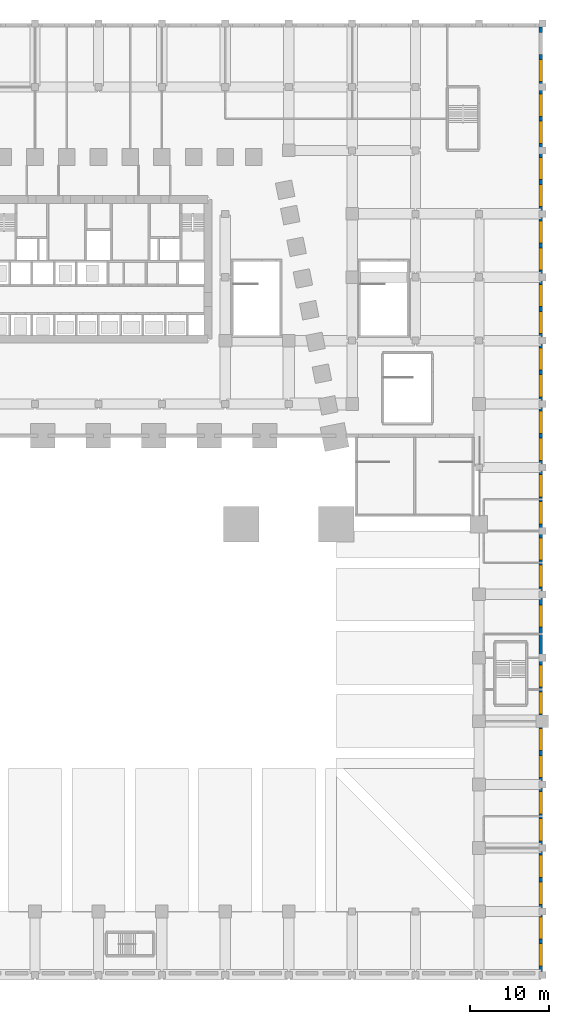
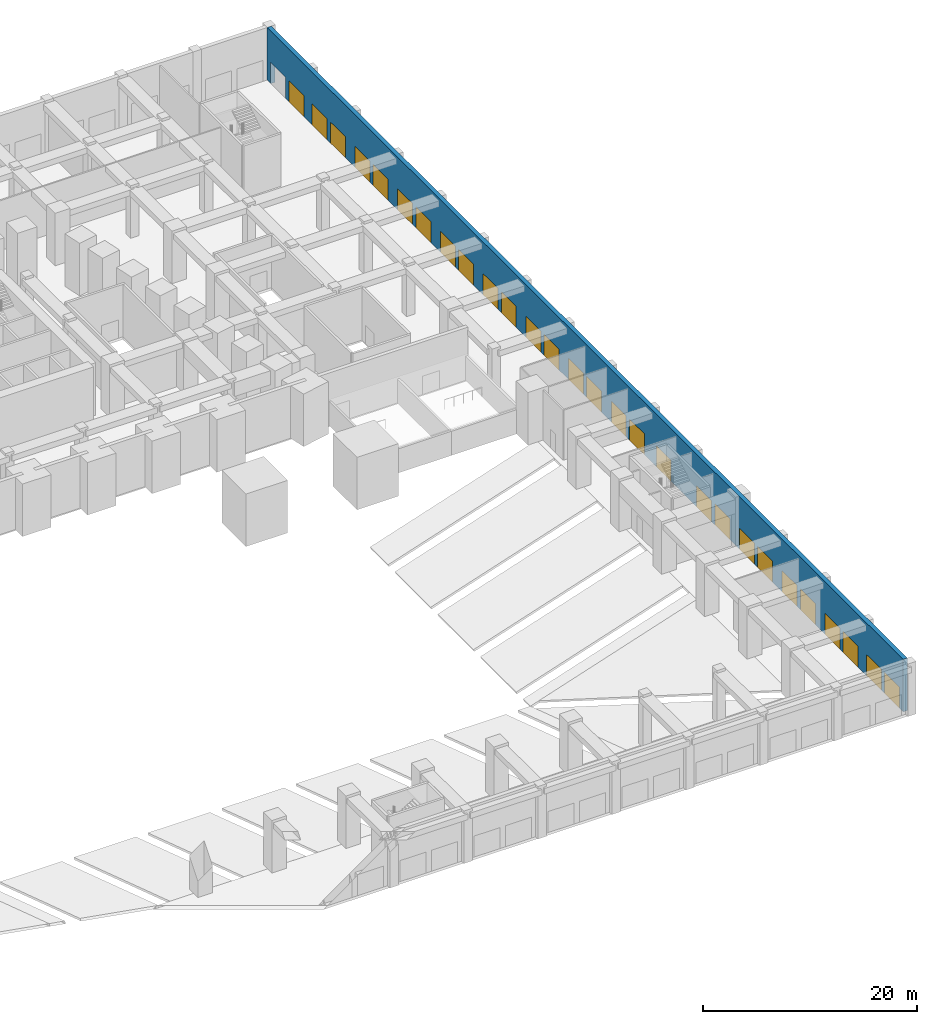
# One storey, part 10 of 28: 28 doors, 1 wall, 29 openings.
"""IFC4 building model written with IfcOpenShell, lengths in metres."""

from ifc_helpers import new_model, si_unit, direction, frame, frame_2d, origin, place, context, subcontext, project, spatial, rectangle, extrude, material, layer, layer_set, type_object, element, fill, save


model = new_model("IFC4")

# Units and contexts
model_context = context("Model", 3, precision=1e-05, world=origin(), true_north=direction((0.0, 1.0)))
body_context = subcontext(model_context, "Body", "Model", "MODEL_VIEW")
ifc_project = project(units=[si_unit("LENGTHUNIT", "METRE"), si_unit("AREAUNIT", "SQUARE_METRE"), si_unit("VOLUMEUNIT", "CUBIC_METRE"), si_unit("PLANEANGLEUNIT", "RADIAN"), si_unit("MASSUNIT", "GRAM", prefix="KILO")], contexts=[model_context])

# Site, building, storey
site_placement = place(None, origin())
site = spatial("IfcSite", under=ifc_project, at=site_placement, CompositionType="ELEMENT")
building_placement = place(site_placement, origin())
building = spatial("IfcBuilding", under=site, at=building_placement, Name="Isbrekke Arena Tower", CompositionType="ELEMENT")
storey_placement = place(building_placement, origin())
storey = spatial("IfcBuildingStorey", under=building, at=storey_placement, Name="L00", CompositionType="ELEMENT", Elevation=0.0)

# Wall, openings, doors
ifc_material_1 = material(Name="Pale brick facing on concrete backing wall", Category="masonry")
ifc_layer = layer(ifc_material_1, 0.449951171875)
ifc_layer_set = layer_set([ifc_layer], Name="EW1 PODIUM BRICK WALL 450")
wall_type = type_object("IfcWallType", Name="EW1 PODIUM BRICK WALL 450", PredefinedType="SOLIDWALL", material=ifc_layer_set)
wall_placement = place(storey_placement, frame((55.77490234375, -73.550048828125, 0.0), z_axis=(0.0, 0.0, 1.0), x_axis=(0.0, 1.0, 0.0)))
wall = element("IfcWall", 1, at=wall_placement, inside=storey, type_object=wall_type, Name="EW1 podium wall E L00", PredefinedType="SOLIDWALL", context=body_context, shape_type="SweptSolid", body=[
    extrude(rectangle(XDim=119.10009765625, YDim=0.449951171875, at=frame_2d((59.550048828125, 0.0))), origin(), (0.0, 0.0, 1.0), 6.0),
])
opening_1_placement = place(wall_placement, frame((0.675048828125, 0.0, 0.0)))
opening_1 = element("IfcOpeningElement", 2, at=opening_1_placement, cuts=wall, Name="Opening DE1", PredefinedType="OPENING", context=body_context, shape_type="SweptSolid", body=[
    extrude(rectangle(XDim=2.800048828125, YDim=2.39990234375, at=frame_2d((1.39990234375, 1.199951171875))), frame((0.0, 0.23974609375, 0.0), z_axis=(0.0, -1.0, 0.0), x_axis=(1.0, 0.0, 0.0)), (0.0, 0.0, 1.0), 0.479736328125),
])
opening_2_placement = place(wall_placement, frame((4.074951171875, 0.0, 0.0)))
opening_2 = element("IfcOpeningElement", 3, at=opening_2_placement, cuts=wall, Name="Opening DE1", PredefinedType="OPENING", context=body_context, shape_type="SweptSolid", body=[
    extrude(rectangle(XDim=2.800048828125, YDim=2.39990234375, at=frame_2d((1.39990234375, 1.199951171875))), frame((0.0, 0.23974609375, 0.0), z_axis=(0.0, -1.0, 0.0), x_axis=(1.0, 0.0, 0.0)), (0.0, 0.0, 1.0), 0.479736328125),
])
opening_3_placement = place(wall_placement, frame((8.449951171875, 0.0, 0.0)))
opening_3 = element("IfcOpeningElement", 4, at=opening_3_placement, cuts=wall, Name="Opening DE1", PredefinedType="OPENING", context=body_context, shape_type="SweptSolid", body=[
    extrude(rectangle(XDim=2.800048828125, YDim=2.39990234375, at=frame_2d((1.39990234375, 1.199951171875))), frame((0.0, 0.23974609375, 0.0), z_axis=(0.0, -1.0, 0.0), x_axis=(1.0, 0.0, 0.0)), (0.0, 0.0, 1.0), 0.479736328125),
])
opening_4_placement = place(wall_placement, frame((11.85009765625, 0.0, 0.0)))
opening_4 = element("IfcOpeningElement", 5, at=opening_4_placement, cuts=wall, Name="Opening DE1", PredefinedType="OPENING", context=body_context, shape_type="SweptSolid", body=[
    extrude(rectangle(XDim=2.800048828125, YDim=2.39990234375, at=frame_2d((1.39990234375, 1.199951171875))), frame((0.0, 0.23974609375, 0.0), z_axis=(0.0, -1.0, 0.0), x_axis=(1.0, 0.0, 0.0)), (0.0, 0.0, 1.0), 0.479736328125),
])
opening_5_placement = place(wall_placement, frame((16.449951171875, 0.0, 0.0)))
opening_5 = element("IfcOpeningElement", 6, at=opening_5_placement, cuts=wall, Name="Opening DE1", PredefinedType="OPENING", context=body_context, shape_type="SweptSolid", body=[
    extrude(rectangle(XDim=2.800048828125, YDim=2.39990234375, at=frame_2d((1.39990234375, 1.199951171875))), frame((0.0, 0.23974609375, 0.0), z_axis=(0.0, -1.0, 0.0), x_axis=(1.0, 0.0, 0.0)), (0.0, 0.0, 1.0), 0.479736328125),
])
opening_6_placement = place(wall_placement, frame((19.85009765625, 0.0, 0.0)))
opening_6 = element("IfcOpeningElement", 7, at=opening_6_placement, cuts=wall, Name="Opening DE1", PredefinedType="OPENING", context=body_context, shape_type="SweptSolid", body=[
    extrude(rectangle(XDim=2.800048828125, YDim=2.39990234375, at=frame_2d((1.39990234375, 1.199951171875))), frame((0.0, 0.23974609375, 0.0), z_axis=(0.0, -1.0, 0.0), x_axis=(1.0, 0.0, 0.0)), (0.0, 0.0, 1.0), 0.479736328125),
])
opening_7_placement = place(wall_placement, frame((24.449951171875, 0.0, 0.0)))
opening_7 = element("IfcOpeningElement", 8, at=opening_7_placement, cuts=wall, Name="Opening DE1", PredefinedType="OPENING", context=body_context, shape_type="SweptSolid", body=[
    extrude(rectangle(XDim=2.800048828125, YDim=2.39990234375, at=frame_2d((1.39990234375, 1.199951171875))), frame((0.0, 0.23974609375, 0.0), z_axis=(0.0, -1.0, 0.0), x_axis=(1.0, 0.0, 0.0)), (0.0, 0.0, 1.0), 0.479736328125),
])
opening_8_placement = place(wall_placement, frame((27.85009765625, 0.0, 0.0)))
opening_8 = element("IfcOpeningElement", 9, at=opening_8_placement, cuts=wall, Name="Opening DE1", PredefinedType="OPENING", context=body_context, shape_type="SweptSolid", body=[
    extrude(rectangle(XDim=2.800048828125, YDim=2.39990234375, at=frame_2d((1.39990234375, 1.199951171875))), frame((0.0, 0.23974609375, 0.0), z_axis=(0.0, -1.0, 0.0), x_axis=(1.0, 0.0, 0.0)), (0.0, 0.0, 1.0), 0.479736328125),
])
opening_9_placement = place(wall_placement, frame((32.449951171875, 0.0, 0.0)))
opening_9 = element("IfcOpeningElement", 10, at=opening_9_placement, cuts=wall, Name="Opening DE1", PredefinedType="OPENING", context=body_context, shape_type="SweptSolid", body=[
    extrude(rectangle(XDim=2.800048828125, YDim=2.39990234375, at=frame_2d((1.39990234375, 1.199951171875))), frame((0.0, 0.23974609375, 0.0), z_axis=(0.0, -1.0, 0.0), x_axis=(1.0, 0.0, 0.0)), (0.0, 0.0, 1.0), 0.479736328125),
])
opening_10_placement = place(wall_placement, frame((35.85009765625, 0.0, 0.0)))
opening_10 = element("IfcOpeningElement", 11, at=opening_10_placement, cuts=wall, Name="Opening DE1", PredefinedType="OPENING", context=body_context, shape_type="SweptSolid", body=[
    extrude(rectangle(XDim=2.800048828125, YDim=2.39990234375, at=frame_2d((1.39990234375, 1.199951171875))), frame((0.0, 0.23974609375, 0.0), z_axis=(0.0, -1.0, 0.0), x_axis=(1.0, 0.0, 0.0)), (0.0, 0.0, 1.0), 0.479736328125),
])
opening_11_placement = place(wall_placement, frame((43.425048828125, 0.0, 0.0)))
opening_11 = element("IfcOpeningElement", 12, at=opening_11_placement, cuts=wall, Name="Opening DE1", PredefinedType="OPENING", context=body_context, shape_type="SweptSolid", body=[
    extrude(rectangle(XDim=2.800048828125, YDim=2.39990234375, at=frame_2d((1.39990234375, 1.199951171875))), frame((0.0, 0.23974609375, 0.0), z_axis=(0.0, -1.0, 0.0), x_axis=(1.0, 0.0, 0.0)), (0.0, 0.0, 1.0), 0.479736328125),
])
opening_12_placement = place(wall_placement, frame((48.449951171875, 0.0, 0.0)))
opening_12 = element("IfcOpeningElement", 13, at=opening_12_placement, cuts=wall, Name="Opening DE1", PredefinedType="OPENING", context=body_context, shape_type="SweptSolid", body=[
    extrude(rectangle(XDim=2.800048828125, YDim=2.39990234375, at=frame_2d((1.39990234375, 1.199951171875))), frame((0.0, 0.23974609375, 0.0), z_axis=(0.0, -1.0, 0.0), x_axis=(1.0, 0.0, 0.0)), (0.0, 0.0, 1.0), 0.479736328125),
])
opening_13_placement = place(wall_placement, frame((51.85009765625, 0.0, 0.0)))
opening_13 = element("IfcOpeningElement", 14, at=opening_13_placement, cuts=wall, Name="Opening DE1", PredefinedType="OPENING", context=body_context, shape_type="SweptSolid", body=[
    extrude(rectangle(XDim=2.800048828125, YDim=2.39990234375, at=frame_2d((1.39990234375, 1.199951171875))), frame((0.0, 0.23974609375, 0.0), z_axis=(0.0, -1.0, 0.0), x_axis=(1.0, 0.0, 0.0)), (0.0, 0.0, 1.0), 0.479736328125),
])
opening_14_placement = place(wall_placement, frame((56.449951171875, 0.0, 0.0)))
opening_14 = element("IfcOpeningElement", 15, at=opening_14_placement, cuts=wall, Name="Opening DE1", PredefinedType="OPENING", context=body_context, shape_type="SweptSolid", body=[
    extrude(rectangle(XDim=2.800048828125, YDim=2.39990234375, at=frame_2d((1.39990234375, 1.199951171875))), frame((0.0, 0.23974609375, 0.0), z_axis=(0.0, -1.0, 0.0), x_axis=(1.0, 0.0, 0.0)), (0.0, 0.0, 1.0), 0.479736328125),
])
opening_15_placement = place(wall_placement, frame((59.85009765625, 0.0, 0.0)))
opening_15 = element("IfcOpeningElement", 16, at=opening_15_placement, cuts=wall, Name="Opening DE1", PredefinedType="OPENING", context=body_context, shape_type="SweptSolid", body=[
    extrude(rectangle(XDim=2.800048828125, YDim=2.39990234375, at=frame_2d((1.39990234375, 1.199951171875))), frame((0.0, 0.23974609375, 0.0), z_axis=(0.0, -1.0, 0.0), x_axis=(1.0, 0.0, 0.0)), (0.0, 0.0, 1.0), 0.479736328125),
])
opening_16_placement = place(wall_placement, frame((64.449951171875, 0.0, 0.0)))
opening_16 = element("IfcOpeningElement", 17, at=opening_16_placement, cuts=wall, Name="Opening DE1", PredefinedType="OPENING", context=body_context, shape_type="SweptSolid", body=[
    extrude(rectangle(XDim=2.800048828125, YDim=2.39990234375, at=frame_2d((1.39990234375, 1.199951171875))), frame((0.0, 0.23974609375, 0.0), z_axis=(0.0, -1.0, 0.0), x_axis=(1.0, 0.0, 0.0)), (0.0, 0.0, 1.0), 0.479736328125),
])
opening_17_placement = place(wall_placement, frame((67.85009765625, 0.0, 0.0)))
opening_17 = element("IfcOpeningElement", 18, at=opening_17_placement, cuts=wall, Name="Opening DE1", PredefinedType="OPENING", context=body_context, shape_type="SweptSolid", body=[
    extrude(rectangle(XDim=2.800048828125, YDim=2.39990234375, at=frame_2d((1.39990234375, 1.199951171875))), frame((0.0, 0.23974609375, 0.0), z_axis=(0.0, -1.0, 0.0), x_axis=(1.0, 0.0, 0.0)), (0.0, 0.0, 1.0), 0.479736328125),
])
opening_18_placement = place(wall_placement, frame((72.449951171875, 0.0, 0.0)))
opening_18 = element("IfcOpeningElement", 19, at=opening_18_placement, cuts=wall, Name="Opening DE1", PredefinedType="OPENING", context=body_context, shape_type="SweptSolid", body=[
    extrude(rectangle(XDim=2.800048828125, YDim=2.39990234375, at=frame_2d((1.39990234375, 1.199951171875))), frame((0.0, 0.23974609375, 0.0), z_axis=(0.0, -1.0, 0.0), x_axis=(1.0, 0.0, 0.0)), (0.0, 0.0, 1.0), 0.479736328125),
])
opening_19_placement = place(wall_placement, frame((75.85009765625, 0.0, 0.0)))
opening_19 = element("IfcOpeningElement", 20, at=opening_19_placement, cuts=wall, Name="Opening DE1", PredefinedType="OPENING", context=body_context, shape_type="SweptSolid", body=[
    extrude(rectangle(XDim=2.800048828125, YDim=2.39990234375, at=frame_2d((1.39990234375, 1.199951171875))), frame((0.0, 0.23974609375, 0.0), z_axis=(0.0, -1.0, 0.0), x_axis=(1.0, 0.0, 0.0)), (0.0, 0.0, 1.0), 0.479736328125),
])
opening_20_placement = place(wall_placement, frame((80.449951171875, 0.0, 0.0)))
opening_20 = element("IfcOpeningElement", 21, at=opening_20_placement, cuts=wall, Name="Opening DE1", PredefinedType="OPENING", context=body_context, shape_type="SweptSolid", body=[
    extrude(rectangle(XDim=2.800048828125, YDim=2.39990234375, at=frame_2d((1.39990234375, 1.199951171875))), frame((0.0, 0.23974609375, 0.0), z_axis=(0.0, -1.0, 0.0), x_axis=(1.0, 0.0, 0.0)), (0.0, 0.0, 1.0), 0.479736328125),
])
opening_21_placement = place(wall_placement, frame((83.85009765625, 0.0, 0.0)))
opening_21 = element("IfcOpeningElement", 22, at=opening_21_placement, cuts=wall, Name="Opening DE1", PredefinedType="OPENING", context=body_context, shape_type="SweptSolid", body=[
    extrude(rectangle(XDim=2.800048828125, YDim=2.39990234375, at=frame_2d((1.39990234375, 1.199951171875))), frame((0.0, 0.23974609375, 0.0), z_axis=(0.0, -1.0, 0.0), x_axis=(1.0, 0.0, 0.0)), (0.0, 0.0, 1.0), 0.479736328125),
])
opening_22_placement = place(wall_placement, frame((88.449951171875, 0.0, 0.0)))
opening_22 = element("IfcOpeningElement", 23, at=opening_22_placement, cuts=wall, Name="Opening DE1", PredefinedType="OPENING", context=body_context, shape_type="SweptSolid", body=[
    extrude(rectangle(XDim=2.800048828125, YDim=2.39990234375, at=frame_2d((1.39990234375, 1.199951171875))), frame((0.0, 0.23974609375, 0.0), z_axis=(0.0, -1.0, 0.0), x_axis=(1.0, 0.0, 0.0)), (0.0, 0.0, 1.0), 0.479736328125),
])
opening_23_placement = place(wall_placement, frame((91.85009765625, 0.0, 0.0)))
opening_23 = element("IfcOpeningElement", 24, at=opening_23_placement, cuts=wall, Name="Opening DE1", PredefinedType="OPENING", context=body_context, shape_type="SweptSolid", body=[
    extrude(rectangle(XDim=2.800048828125, YDim=2.39990234375, at=frame_2d((1.39990234375, 1.199951171875))), frame((0.0, 0.23974609375, 0.0), z_axis=(0.0, -1.0, 0.0), x_axis=(1.0, 0.0, 0.0)), (0.0, 0.0, 1.0), 0.479736328125),
])
opening_24_placement = place(wall_placement, frame((96.449951171875, 0.0, 0.0)))
opening_24 = element("IfcOpeningElement", 25, at=opening_24_placement, cuts=wall, Name="Opening DE1", PredefinedType="OPENING", context=body_context, shape_type="SweptSolid", body=[
    extrude(rectangle(XDim=2.800048828125, YDim=2.39990234375, at=frame_2d((1.39990234375, 1.199951171875))), frame((0.0, 0.23974609375, 0.0), z_axis=(0.0, -1.0, 0.0), x_axis=(1.0, 0.0, 0.0)), (0.0, 0.0, 1.0), 0.479736328125),
])
opening_25_placement = place(wall_placement, frame((99.85009765625, 0.0, 0.0)))
opening_25 = element("IfcOpeningElement", 26, at=opening_25_placement, cuts=wall, Name="Opening DE1", PredefinedType="OPENING", context=body_context, shape_type="SweptSolid", body=[
    extrude(rectangle(XDim=2.800048828125, YDim=2.39990234375, at=frame_2d((1.39990234375, 1.199951171875))), frame((0.0, 0.23974609375, 0.0), z_axis=(0.0, -1.0, 0.0), x_axis=(1.0, 0.0, 0.0)), (0.0, 0.0, 1.0), 0.479736328125),
])
opening_26_placement = place(wall_placement, frame((104.449951171875, 0.0, 0.0)))
opening_26 = element("IfcOpeningElement", 27, at=opening_26_placement, cuts=wall, Name="Opening DE1", PredefinedType="OPENING", context=body_context, shape_type="SweptSolid", body=[
    extrude(rectangle(XDim=2.800048828125, YDim=2.39990234375, at=frame_2d((1.39990234375, 1.199951171875))), frame((0.0, 0.23974609375, 0.0), z_axis=(0.0, -1.0, 0.0), x_axis=(1.0, 0.0, 0.0)), (0.0, 0.0, 1.0), 0.479736328125),
])
opening_27_placement = place(wall_placement, frame((107.85009765625, 0.0, 0.0)))
opening_27 = element("IfcOpeningElement", 28, at=opening_27_placement, cuts=wall, Name="Opening DE1", PredefinedType="OPENING", context=body_context, shape_type="SweptSolid", body=[
    extrude(rectangle(XDim=2.800048828125, YDim=2.39990234375, at=frame_2d((1.39990234375, 1.199951171875))), frame((0.0, 0.23974609375, 0.0), z_axis=(0.0, -1.0, 0.0), x_axis=(1.0, 0.0, 0.0)), (0.0, 0.0, 1.0), 0.479736328125),
])
opening_28_placement = place(wall_placement, frame((112.22509765625, 0.0, 0.0)))
opening_28 = element("IfcOpeningElement", 29, at=opening_28_placement, cuts=wall, Name="Opening DE1", PredefinedType="OPENING", context=body_context, shape_type="SweptSolid", body=[
    extrude(rectangle(XDim=2.800048828125, YDim=2.39990234375, at=frame_2d((1.39990234375, 1.199951171875))), frame((0.0, 0.23974609375, 0.0), z_axis=(0.0, -1.0, 0.0), x_axis=(1.0, 0.0, 0.0)), (0.0, 0.0, 1.0), 0.479736328125),
])
opening_29_placement = place(wall_placement, frame((115.625, 0.0, 0.0)))
element("IfcOpeningElement", 30, at=opening_29_placement, cuts=wall, Name="Opening DE1", PredefinedType="OPENING", context=body_context, shape_type="SweptSolid", body=[
    extrude(rectangle(XDim=2.800048828125, YDim=2.39990234375, at=frame_2d((1.39990234375, 1.199951171875))), frame((0.0, 0.23974609375, 0.0), z_axis=(0.0, -1.0, 0.0), x_axis=(1.0, 0.0, 0.0)), (0.0, 0.0, 1.0), 0.479736328125),
])
ifc_material_2 = material(Name="Steel-framed glazed double door", Category="steel")
door_type = type_object("IfcDoorType", Name="DE1 EXIT DOOR 2800 x 2400", OperationType="DOUBLE_DOOR_SINGLE_SWING", PredefinedType="DOOR", material=ifc_material_2)
door_1_placement = place(opening_1_placement, frame((2.800048828125, 0.0, 0.0), z_axis=(0.0, 0.0, 1.0), x_axis=(-1.0, 0.0, 0.0)))
door_1 = element("IfcDoor", 31, at=door_1_placement, inside=storey, type_object=door_type, Name="DE1 exit door E-1a", OperationType="DOUBLE_DOOR_SINGLE_SWING", OverallHeight=2.39990234375, OverallWidth=2.800048828125, PredefinedType="DOOR", context=body_context, shape_type="SweptSolid", body=[
    extrude(rectangle(XDim=2.800048828125, YDim=2.39990234375, at=frame_2d((1.39990234375, 1.199951171875))), frame((0.0, 0.224609375, 0.0), z_axis=(0.0, -1.0, 0.0), x_axis=(1.0, 0.0, 0.0)), (0.0, 0.0, 1.0), 0.449462890625),
])
fill(opening_1, door_1)
door_2_placement = place(opening_2_placement, frame((2.800048828125, 0.0, 0.0), z_axis=(0.0, 0.0, 1.0), x_axis=(-1.0, 0.0, 0.0)))
door_2 = element("IfcDoor", 32, at=door_2_placement, inside=storey, type_object=door_type, Name="DE1 exit door E-1b", OperationType="DOUBLE_DOOR_SINGLE_SWING", OverallHeight=2.39990234375, OverallWidth=2.800048828125, PredefinedType="DOOR", context=body_context, shape_type="SweptSolid", body=[
    extrude(rectangle(XDim=2.800048828125, YDim=2.39990234375, at=frame_2d((1.39990234375, 1.199951171875))), frame((0.0, 0.224609375, 0.0), z_axis=(0.0, -1.0, 0.0), x_axis=(1.0, 0.0, 0.0)), (0.0, 0.0, 1.0), 0.449462890625),
])
fill(opening_2, door_2)
door_3_placement = place(opening_3_placement, frame((2.800048828125, 0.0, 0.0), z_axis=(0.0, 0.0, 1.0), x_axis=(-1.0, 0.0, 0.0)))
door_3 = element("IfcDoor", 33, at=door_3_placement, inside=storey, type_object=door_type, Name="DE1 exit door E-2a", OperationType="DOUBLE_DOOR_SINGLE_SWING", OverallHeight=2.39990234375, OverallWidth=2.800048828125, PredefinedType="DOOR", context=body_context, shape_type="SweptSolid", body=[
    extrude(rectangle(XDim=2.800048828125, YDim=2.39990234375, at=frame_2d((1.39990234375, 1.199951171875))), frame((0.0, 0.224609375, 0.0), z_axis=(0.0, -1.0, 0.0), x_axis=(1.0, 0.0, 0.0)), (0.0, 0.0, 1.0), 0.449462890625),
])
fill(opening_3, door_3)
door_4_placement = place(opening_4_placement, frame((2.800048828125, 0.0, 0.0), z_axis=(0.0, 0.0, 1.0), x_axis=(-1.0, 0.0, 0.0)))
door_4 = element("IfcDoor", 34, at=door_4_placement, inside=storey, type_object=door_type, Name="DE1 exit door E-2b", OperationType="DOUBLE_DOOR_SINGLE_SWING", OverallHeight=2.39990234375, OverallWidth=2.800048828125, PredefinedType="DOOR", context=body_context, shape_type="SweptSolid", body=[
    extrude(rectangle(XDim=2.800048828125, YDim=2.39990234375, at=frame_2d((1.39990234375, 1.199951171875))), frame((0.0, 0.224609375, 0.0), z_axis=(0.0, -1.0, 0.0), x_axis=(1.0, 0.0, 0.0)), (0.0, 0.0, 1.0), 0.449462890625),
])
fill(opening_4, door_4)
door_5_placement = place(opening_5_placement, frame((2.800048828125, 0.0, 0.0), z_axis=(0.0, 0.0, 1.0), x_axis=(-1.0, 0.0, 0.0)))
door_5 = element("IfcDoor", 35, at=door_5_placement, inside=storey, type_object=door_type, Name="DE1 exit door E-3a", OperationType="DOUBLE_DOOR_SINGLE_SWING", OverallHeight=2.39990234375, OverallWidth=2.800048828125, PredefinedType="DOOR", context=body_context, shape_type="SweptSolid", body=[
    extrude(rectangle(XDim=2.800048828125, YDim=2.39990234375, at=frame_2d((1.39990234375, 1.199951171875))), frame((0.0, 0.224609375, 0.0), z_axis=(0.0, -1.0, 0.0), x_axis=(1.0, 0.0, 0.0)), (0.0, 0.0, 1.0), 0.449462890625),
])
fill(opening_5, door_5)
door_6_placement = place(opening_6_placement, frame((2.800048828125, 0.0, 0.0), z_axis=(0.0, 0.0, 1.0), x_axis=(-1.0, 0.0, 0.0)))
door_6 = element("IfcDoor", 36, at=door_6_placement, inside=storey, type_object=door_type, Name="DE1 exit door E-3b", OperationType="DOUBLE_DOOR_SINGLE_SWING", OverallHeight=2.39990234375, OverallWidth=2.800048828125, PredefinedType="DOOR", context=body_context, shape_type="SweptSolid", body=[
    extrude(rectangle(XDim=2.800048828125, YDim=2.39990234375, at=frame_2d((1.39990234375, 1.199951171875))), frame((0.0, 0.224609375, 0.0), z_axis=(0.0, -1.0, 0.0), x_axis=(1.0, 0.0, 0.0)), (0.0, 0.0, 1.0), 0.449462890625),
])
fill(opening_6, door_6)
door_7_placement = place(opening_7_placement, frame((2.800048828125, 0.0, 0.0), z_axis=(0.0, 0.0, 1.0), x_axis=(-1.0, 0.0, 0.0)))
door_7 = element("IfcDoor", 37, at=door_7_placement, inside=storey, type_object=door_type, Name="DE1 exit door E-4a", OperationType="DOUBLE_DOOR_SINGLE_SWING", OverallHeight=2.39990234375, OverallWidth=2.800048828125, PredefinedType="DOOR", context=body_context, shape_type="SweptSolid", body=[
    extrude(rectangle(XDim=2.800048828125, YDim=2.39990234375, at=frame_2d((1.39990234375, 1.199951171875))), frame((0.0, 0.224609375, 0.0), z_axis=(0.0, -1.0, 0.0), x_axis=(1.0, 0.0, 0.0)), (0.0, 0.0, 1.0), 0.449462890625),
])
fill(opening_7, door_7)
door_8_placement = place(opening_8_placement, frame((2.800048828125, 0.0, 0.0), z_axis=(0.0, 0.0, 1.0), x_axis=(-1.0, 0.0, 0.0)))
door_8 = element("IfcDoor", 38, at=door_8_placement, inside=storey, type_object=door_type, Name="DE1 exit door E-4b", OperationType="DOUBLE_DOOR_SINGLE_SWING", OverallHeight=2.39990234375, OverallWidth=2.800048828125, PredefinedType="DOOR", context=body_context, shape_type="SweptSolid", body=[
    extrude(rectangle(XDim=2.800048828125, YDim=2.39990234375, at=frame_2d((1.39990234375, 1.199951171875))), frame((0.0, 0.224609375, 0.0), z_axis=(0.0, -1.0, 0.0), x_axis=(1.0, 0.0, 0.0)), (0.0, 0.0, 1.0), 0.449462890625),
])
fill(opening_8, door_8)
door_9_placement = place(opening_9_placement, frame((2.800048828125, 0.0, 0.0), z_axis=(0.0, 0.0, 1.0), x_axis=(-1.0, 0.0, 0.0)))
door_9 = element("IfcDoor", 39, at=door_9_placement, inside=storey, type_object=door_type, Name="DE1 exit door E-5a", OperationType="DOUBLE_DOOR_SINGLE_SWING", OverallHeight=2.39990234375, OverallWidth=2.800048828125, PredefinedType="DOOR", context=body_context, shape_type="SweptSolid", body=[
    extrude(rectangle(XDim=2.800048828125, YDim=2.39990234375, at=frame_2d((1.39990234375, 1.199951171875))), frame((0.0, 0.224609375, 0.0), z_axis=(0.0, -1.0, 0.0), x_axis=(1.0, 0.0, 0.0)), (0.0, 0.0, 1.0), 0.449462890625),
])
fill(opening_9, door_9)
door_10_placement = place(opening_10_placement, frame((2.800048828125, 0.0, 0.0), z_axis=(0.0, 0.0, 1.0), x_axis=(-1.0, 0.0, 0.0)))
door_10 = element("IfcDoor", 40, at=door_10_placement, inside=storey, type_object=door_type, Name="DE1 exit door E-5b", OperationType="DOUBLE_DOOR_SINGLE_SWING", OverallHeight=2.39990234375, OverallWidth=2.800048828125, PredefinedType="DOOR", context=body_context, shape_type="SweptSolid", body=[
    extrude(rectangle(XDim=2.800048828125, YDim=2.39990234375, at=frame_2d((1.39990234375, 1.199951171875))), frame((0.0, 0.224609375, 0.0), z_axis=(0.0, -1.0, 0.0), x_axis=(1.0, 0.0, 0.0)), (0.0, 0.0, 1.0), 0.449462890625),
])
fill(opening_10, door_10)
door_11_placement = place(opening_11_placement, frame((2.800048828125, 0.0, 0.0), z_axis=(0.0, 0.0, 1.0), x_axis=(-1.0, 0.0, 0.0)))
door_11 = element("IfcDoor", 41, at=door_11_placement, inside=storey, type_object=door_type, Name="DE1 exit door E-6a", OperationType="DOUBLE_DOOR_SINGLE_SWING", OverallHeight=2.39990234375, OverallWidth=2.800048828125, PredefinedType="DOOR", context=body_context, shape_type="SweptSolid", body=[
    extrude(rectangle(XDim=2.800048828125, YDim=2.39990234375, at=frame_2d((1.39990234375, 1.199951171875))), frame((0.0, 0.224609375, 0.0), z_axis=(0.0, -1.0, 0.0), x_axis=(1.0, 0.0, 0.0)), (0.0, 0.0, 1.0), 0.449462890625),
])
fill(opening_11, door_11)
door_12_placement = place(opening_12_placement, frame((2.800048828125, 0.0, 0.0), z_axis=(0.0, 0.0, 1.0), x_axis=(-1.0, 0.0, 0.0)))
door_12 = element("IfcDoor", 42, at=door_12_placement, inside=storey, type_object=door_type, Name="DE1 exit door E-7a", OperationType="DOUBLE_DOOR_SINGLE_SWING", OverallHeight=2.39990234375, OverallWidth=2.800048828125, PredefinedType="DOOR", context=body_context, shape_type="SweptSolid", body=[
    extrude(rectangle(XDim=2.800048828125, YDim=2.39990234375, at=frame_2d((1.39990234375, 1.199951171875))), frame((0.0, 0.224609375, 0.0), z_axis=(0.0, -1.0, 0.0), x_axis=(1.0, 0.0, 0.0)), (0.0, 0.0, 1.0), 0.449462890625),
])
fill(opening_12, door_12)
door_13_placement = place(opening_13_placement, frame((2.800048828125, 0.0, 0.0), z_axis=(0.0, 0.0, 1.0), x_axis=(-1.0, 0.0, 0.0)))
door_13 = element("IfcDoor", 43, at=door_13_placement, inside=storey, type_object=door_type, Name="DE1 exit door E-7b", OperationType="DOUBLE_DOOR_SINGLE_SWING", OverallHeight=2.39990234375, OverallWidth=2.800048828125, PredefinedType="DOOR", context=body_context, shape_type="SweptSolid", body=[
    extrude(rectangle(XDim=2.800048828125, YDim=2.39990234375, at=frame_2d((1.39990234375, 1.199951171875))), frame((0.0, 0.224609375, 0.0), z_axis=(0.0, -1.0, 0.0), x_axis=(1.0, 0.0, 0.0)), (0.0, 0.0, 1.0), 0.449462890625),
])
fill(opening_13, door_13)
door_14_placement = place(opening_14_placement, frame((2.800048828125, 0.0, 0.0), z_axis=(0.0, 0.0, 1.0), x_axis=(-1.0, 0.0, 0.0)))
door_14 = element("IfcDoor", 44, at=door_14_placement, inside=storey, type_object=door_type, Name="DE1 exit door E-8a", OperationType="DOUBLE_DOOR_SINGLE_SWING", OverallHeight=2.39990234375, OverallWidth=2.800048828125, PredefinedType="DOOR", context=body_context, shape_type="SweptSolid", body=[
    extrude(rectangle(XDim=2.800048828125, YDim=2.39990234375, at=frame_2d((1.39990234375, 1.199951171875))), frame((0.0, 0.224609375, 0.0), z_axis=(0.0, -1.0, 0.0), x_axis=(1.0, 0.0, 0.0)), (0.0, 0.0, 1.0), 0.449462890625),
])
fill(opening_14, door_14)
door_15_placement = place(opening_15_placement, frame((2.800048828125, 0.0, 0.0), z_axis=(0.0, 0.0, 1.0), x_axis=(-1.0, 0.0, 0.0)))
door_15 = element("IfcDoor", 45, at=door_15_placement, inside=storey, type_object=door_type, Name="DE1 exit door E-8b", OperationType="DOUBLE_DOOR_SINGLE_SWING", OverallHeight=2.39990234375, OverallWidth=2.800048828125, PredefinedType="DOOR", context=body_context, shape_type="SweptSolid", body=[
    extrude(rectangle(XDim=2.800048828125, YDim=2.39990234375, at=frame_2d((1.39990234375, 1.199951171875))), frame((0.0, 0.224609375, 0.0), z_axis=(0.0, -1.0, 0.0), x_axis=(1.0, 0.0, 0.0)), (0.0, 0.0, 1.0), 0.449462890625),
])
fill(opening_15, door_15)
door_16_placement = place(opening_16_placement, frame((2.800048828125, 0.0, 0.0), z_axis=(0.0, 0.0, 1.0), x_axis=(-1.0, 0.0, 0.0)))
door_16 = element("IfcDoor", 46, at=door_16_placement, inside=storey, type_object=door_type, Name="DE1 exit door E-9a", OperationType="DOUBLE_DOOR_SINGLE_SWING", OverallHeight=2.39990234375, OverallWidth=2.800048828125, PredefinedType="DOOR", context=body_context, shape_type="SweptSolid", body=[
    extrude(rectangle(XDim=2.800048828125, YDim=2.39990234375, at=frame_2d((1.39990234375, 1.199951171875))), frame((0.0, 0.224609375, 0.0), z_axis=(0.0, -1.0, 0.0), x_axis=(1.0, 0.0, 0.0)), (0.0, 0.0, 1.0), 0.449462890625),
])
fill(opening_16, door_16)
door_17_placement = place(opening_17_placement, frame((2.800048828125, 0.0, 0.0), z_axis=(0.0, 0.0, 1.0), x_axis=(-1.0, 0.0, 0.0)))
door_17 = element("IfcDoor", 47, at=door_17_placement, inside=storey, type_object=door_type, Name="DE1 exit door E-9b", OperationType="DOUBLE_DOOR_SINGLE_SWING", OverallHeight=2.39990234375, OverallWidth=2.800048828125, PredefinedType="DOOR", context=body_context, shape_type="SweptSolid", body=[
    extrude(rectangle(XDim=2.800048828125, YDim=2.39990234375, at=frame_2d((1.39990234375, 1.199951171875))), frame((0.0, 0.224609375, 0.0), z_axis=(0.0, -1.0, 0.0), x_axis=(1.0, 0.0, 0.0)), (0.0, 0.0, 1.0), 0.449462890625),
])
fill(opening_17, door_17)
door_18_placement = place(opening_18_placement, frame((2.800048828125, 0.0, 0.0), z_axis=(0.0, 0.0, 1.0), x_axis=(-1.0, 0.0, 0.0)))
door_18 = element("IfcDoor", 48, at=door_18_placement, inside=storey, type_object=door_type, Name="DE1 exit door E-10a", OperationType="DOUBLE_DOOR_SINGLE_SWING", OverallHeight=2.39990234375, OverallWidth=2.800048828125, PredefinedType="DOOR", context=body_context, shape_type="SweptSolid", body=[
    extrude(rectangle(XDim=2.800048828125, YDim=2.39990234375, at=frame_2d((1.39990234375, 1.199951171875))), frame((0.0, 0.224609375, 0.0), z_axis=(0.0, -1.0, 0.0), x_axis=(1.0, 0.0, 0.0)), (0.0, 0.0, 1.0), 0.449462890625),
])
fill(opening_18, door_18)
door_19_placement = place(opening_19_placement, frame((2.800048828125, 0.0, 0.0), z_axis=(0.0, 0.0, 1.0), x_axis=(-1.0, 0.0, 0.0)))
door_19 = element("IfcDoor", 49, at=door_19_placement, inside=storey, type_object=door_type, Name="DE1 exit door E-10b", OperationType="DOUBLE_DOOR_SINGLE_SWING", OverallHeight=2.39990234375, OverallWidth=2.800048828125, PredefinedType="DOOR", context=body_context, shape_type="SweptSolid", body=[
    extrude(rectangle(XDim=2.800048828125, YDim=2.39990234375, at=frame_2d((1.39990234375, 1.199951171875))), frame((0.0, 0.224609375, 0.0), z_axis=(0.0, -1.0, 0.0), x_axis=(1.0, 0.0, 0.0)), (0.0, 0.0, 1.0), 0.449462890625),
])
fill(opening_19, door_19)
door_20_placement = place(opening_20_placement, frame((2.800048828125, 0.0, 0.0), z_axis=(0.0, 0.0, 1.0), x_axis=(-1.0, 0.0, 0.0)))
door_20 = element("IfcDoor", 50, at=door_20_placement, inside=storey, type_object=door_type, Name="DE1 exit door E-11a", OperationType="DOUBLE_DOOR_SINGLE_SWING", OverallHeight=2.39990234375, OverallWidth=2.800048828125, PredefinedType="DOOR", context=body_context, shape_type="SweptSolid", body=[
    extrude(rectangle(XDim=2.800048828125, YDim=2.39990234375, at=frame_2d((1.39990234375, 1.199951171875))), frame((0.0, 0.224609375, 0.0), z_axis=(0.0, -1.0, 0.0), x_axis=(1.0, 0.0, 0.0)), (0.0, 0.0, 1.0), 0.449462890625),
])
fill(opening_20, door_20)
door_21_placement = place(opening_21_placement, frame((2.800048828125, 0.0, 0.0), z_axis=(0.0, 0.0, 1.0), x_axis=(-1.0, 0.0, 0.0)))
door_21 = element("IfcDoor", 51, at=door_21_placement, inside=storey, type_object=door_type, Name="DE1 exit door E-11b", OperationType="DOUBLE_DOOR_SINGLE_SWING", OverallHeight=2.39990234375, OverallWidth=2.800048828125, PredefinedType="DOOR", context=body_context, shape_type="SweptSolid", body=[
    extrude(rectangle(XDim=2.800048828125, YDim=2.39990234375, at=frame_2d((1.39990234375, 1.199951171875))), frame((0.0, 0.224609375, 0.0), z_axis=(0.0, -1.0, 0.0), x_axis=(1.0, 0.0, 0.0)), (0.0, 0.0, 1.0), 0.449462890625),
])
fill(opening_21, door_21)
door_22_placement = place(opening_22_placement, frame((2.800048828125, 0.0, 0.0), z_axis=(0.0, 0.0, 1.0), x_axis=(-1.0, 0.0, 0.0)))
door_22 = element("IfcDoor", 52, at=door_22_placement, inside=storey, type_object=door_type, Name="DE1 exit door E-12a", OperationType="DOUBLE_DOOR_SINGLE_SWING", OverallHeight=2.39990234375, OverallWidth=2.800048828125, PredefinedType="DOOR", context=body_context, shape_type="SweptSolid", body=[
    extrude(rectangle(XDim=2.800048828125, YDim=2.39990234375, at=frame_2d((1.39990234375, 1.199951171875))), frame((0.0, 0.224609375, 0.0), z_axis=(0.0, -1.0, 0.0), x_axis=(1.0, 0.0, 0.0)), (0.0, 0.0, 1.0), 0.449462890625),
])
fill(opening_22, door_22)
door_23_placement = place(opening_23_placement, frame((2.800048828125, 0.0, 0.0), z_axis=(0.0, 0.0, 1.0), x_axis=(-1.0, 0.0, 0.0)))
door_23 = element("IfcDoor", 53, at=door_23_placement, inside=storey, type_object=door_type, Name="DE1 exit door E-12b", OperationType="DOUBLE_DOOR_SINGLE_SWING", OverallHeight=2.39990234375, OverallWidth=2.800048828125, PredefinedType="DOOR", context=body_context, shape_type="SweptSolid", body=[
    extrude(rectangle(XDim=2.800048828125, YDim=2.39990234375, at=frame_2d((1.39990234375, 1.199951171875))), frame((0.0, 0.224609375, 0.0), z_axis=(0.0, -1.0, 0.0), x_axis=(1.0, 0.0, 0.0)), (0.0, 0.0, 1.0), 0.449462890625),
])
fill(opening_23, door_23)
door_24_placement = place(opening_24_placement, frame((2.800048828125, 0.0, 0.0), z_axis=(0.0, 0.0, 1.0), x_axis=(-1.0, 0.0, 0.0)))
door_24 = element("IfcDoor", 54, at=door_24_placement, inside=storey, type_object=door_type, Name="DE1 exit door E-13a", OperationType="DOUBLE_DOOR_SINGLE_SWING", OverallHeight=2.39990234375, OverallWidth=2.800048828125, PredefinedType="DOOR", context=body_context, shape_type="SweptSolid", body=[
    extrude(rectangle(XDim=2.800048828125, YDim=2.39990234375, at=frame_2d((1.39990234375, 1.199951171875))), frame((0.0, 0.224609375, 0.0), z_axis=(0.0, -1.0, 0.0), x_axis=(1.0, 0.0, 0.0)), (0.0, 0.0, 1.0), 0.449462890625),
])
fill(opening_24, door_24)
door_25_placement = place(opening_25_placement, frame((2.800048828125, 0.0, 0.0), z_axis=(0.0, 0.0, 1.0), x_axis=(-1.0, 0.0, 0.0)))
door_25 = element("IfcDoor", 55, at=door_25_placement, inside=storey, type_object=door_type, Name="DE1 exit door E-13b", OperationType="DOUBLE_DOOR_SINGLE_SWING", OverallHeight=2.39990234375, OverallWidth=2.800048828125, PredefinedType="DOOR", context=body_context, shape_type="SweptSolid", body=[
    extrude(rectangle(XDim=2.800048828125, YDim=2.39990234375, at=frame_2d((1.39990234375, 1.199951171875))), frame((0.0, 0.224609375, 0.0), z_axis=(0.0, -1.0, 0.0), x_axis=(1.0, 0.0, 0.0)), (0.0, 0.0, 1.0), 0.449462890625),
])
fill(opening_25, door_25)
door_26_placement = place(opening_26_placement, frame((2.800048828125, 0.0, 0.0), z_axis=(0.0, 0.0, 1.0), x_axis=(-1.0, 0.0, 0.0)))
door_26 = element("IfcDoor", 56, at=door_26_placement, inside=storey, type_object=door_type, Name="DE1 exit door E-14a", OperationType="DOUBLE_DOOR_SINGLE_SWING", OverallHeight=2.39990234375, OverallWidth=2.800048828125, PredefinedType="DOOR", context=body_context, shape_type="SweptSolid", body=[
    extrude(rectangle(XDim=2.800048828125, YDim=2.39990234375, at=frame_2d((1.39990234375, 1.199951171875))), frame((0.0, 0.224609375, 0.0), z_axis=(0.0, -1.0, 0.0), x_axis=(1.0, 0.0, 0.0)), (0.0, 0.0, 1.0), 0.449462890625),
])
fill(opening_26, door_26)
door_27_placement = place(opening_27_placement, frame((2.800048828125, 0.0, 0.0), z_axis=(0.0, 0.0, 1.0), x_axis=(-1.0, 0.0, 0.0)))
door_27 = element("IfcDoor", 57, at=door_27_placement, inside=storey, type_object=door_type, Name="DE1 exit door E-14b", OperationType="DOUBLE_DOOR_SINGLE_SWING", OverallHeight=2.39990234375, OverallWidth=2.800048828125, PredefinedType="DOOR", context=body_context, shape_type="SweptSolid", body=[
    extrude(rectangle(XDim=2.800048828125, YDim=2.39990234375, at=frame_2d((1.39990234375, 1.199951171875))), frame((0.0, 0.224609375, 0.0), z_axis=(0.0, -1.0, 0.0), x_axis=(1.0, 0.0, 0.0)), (0.0, 0.0, 1.0), 0.449462890625),
])
fill(opening_27, door_27)
door_28_placement = place(opening_28_placement, frame((2.800048828125, 0.0, 0.0), z_axis=(0.0, 0.0, 1.0), x_axis=(-1.0, 0.0, 0.0)))
door_28 = element("IfcDoor", 58, at=door_28_placement, inside=storey, type_object=door_type, Name="DE1 exit door E-15a", OperationType="DOUBLE_DOOR_SINGLE_SWING", OverallHeight=2.39990234375, OverallWidth=2.800048828125, PredefinedType="DOOR", context=body_context, shape_type="SweptSolid", body=[
    extrude(rectangle(XDim=2.800048828125, YDim=2.39990234375, at=frame_2d((1.39990234375, 1.199951171875))), frame((0.0, 0.224609375, 0.0), z_axis=(0.0, -1.0, 0.0), x_axis=(1.0, 0.0, 0.0)), (0.0, 0.0, 1.0), 0.449462890625),
])
fill(opening_28, door_28)

save(model, "model.ifc")
